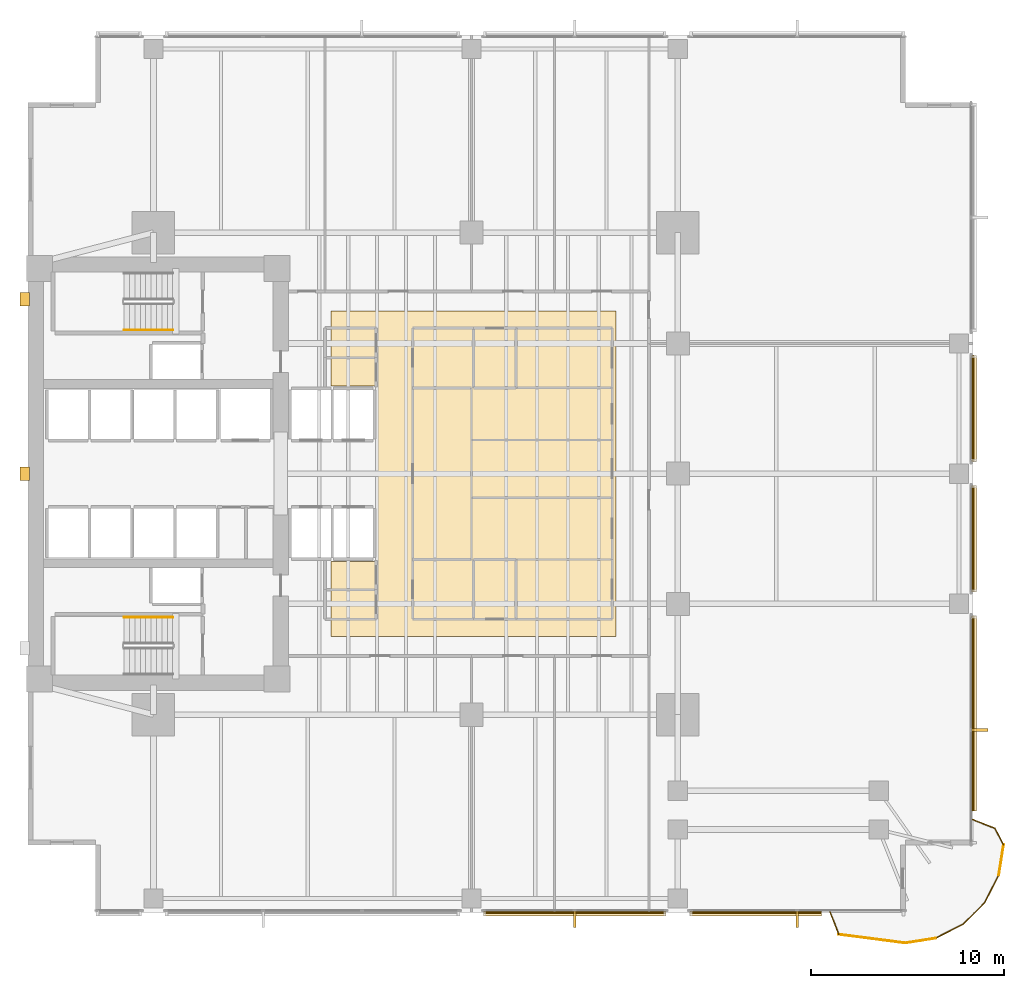
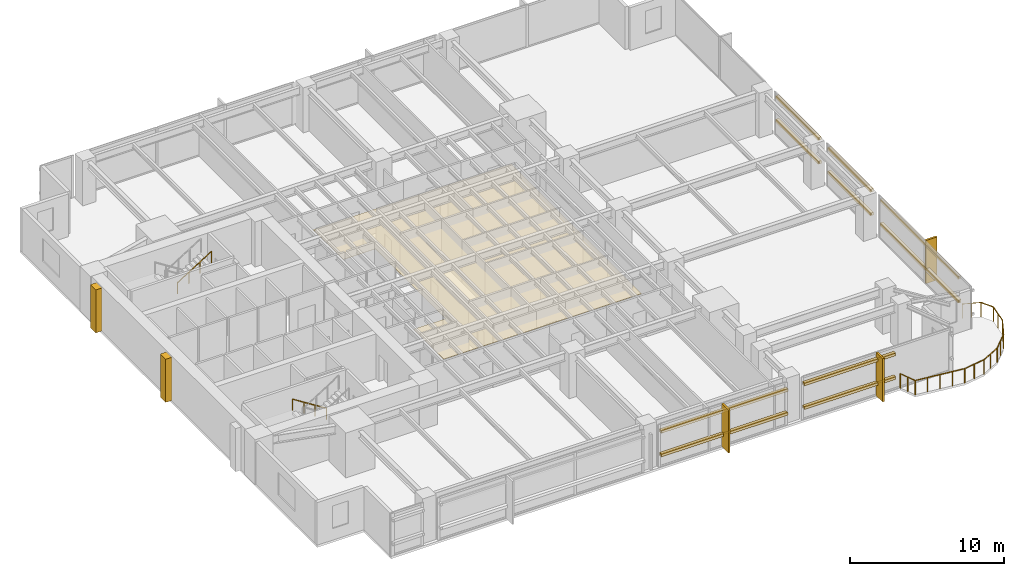
# One storey, part 13 of 15: 16 coverings, 11 railings, 10 shading devices.
"""IFC4 building model written with IfcOpenShell, lengths in metres."""

from ifc_helpers import new_model, si_unit, direction, frame, origin, origin_2d, place, context, subcontext, project, spatial, polyline, rectangle, circle, outline, extrude, material, layer, layer_set, material_profile, profile_set, type_object, element, save


model = new_model("IFC4")

# Units and contexts
model_context = context("Model", 3, precision=1e-05, world=origin(), true_north=direction((0.0, 1.0)))
body_context = subcontext(model_context, "Body", "Model", "MODEL_VIEW")
ifc_project = project(units=[si_unit("LENGTHUNIT", "METRE"), si_unit("AREAUNIT", "SQUARE_METRE"), si_unit("VOLUMEUNIT", "CUBIC_METRE"), si_unit("PLANEANGLEUNIT", "RADIAN"), si_unit("MASSUNIT", "GRAM", prefix="KILO")], contexts=[model_context])

# Site, building, storey
site_placement = place(None, origin())
site = spatial("IfcSite", under=ifc_project, at=site_placement, CompositionType="ELEMENT")
building_placement = place(site_placement, origin())
building = spatial("IfcBuilding", under=site, at=building_placement, Name="Kinhvarn Gate Tower", CompositionType="ELEMENT")
storey_placement = place(building_placement, frame((0.0, 0.0, 71.75)))
storey = spatial("IfcBuildingStorey", under=building, at=storey_placement, Name="L18", CompositionType="ELEMENT", Elevation=71.75)

# Coverings
ifc_material_1 = material(Name="Fired architectural terracotta", Category="masonry")
ifc_layer_1 = layer(ifc_material_1, 0.239990234375)
ifc_layer_set_1 = layer_set([ifc_layer_1], Name="Fired architectural terracotta")
covering_type_1 = type_object("IfcCoveringType", Name="COV-BAG-220", PredefinedType="CLADDING", material=ifc_layer_set_1)
for number, where, name in (
    (1, (0.0, 0.0, 0.93994140625), "Terracotta Horizontal Sunscreen Band TBG-220 (L18)"),
    (2, (0.0, 0.0, 2.81005859375), "Terracotta Horizontal Sunscreen Band TBG-220 (L18)"),
):
    element("IfcCovering", number, at=place(storey_placement, frame(where)), inside=storey, type_object=covering_type_1, Name=name, PredefinedType="CLADDING", context=body_context, shape_type="SweptSolid", body=[
        extrude(outline(polyline([(28.1201171875, 2.56005859375), (37.580078125, 2.56005859375), (37.580078125, 2.320068359375), (28.1201171875, 2.320068359375), (28.1201171875, 2.56005859375)])), origin(), (0.0, 0.0, 1.0), 0.219970703125),
    ])
for number, where, name in (
    (3, (0.0, 0.0, 0.93994140625), "Terracotta Horizontal Sunscreen Band TBG-220 (L18)"),
    (4, (0.0, 0.0, 2.81005859375), "Terracotta Horizontal Sunscreen Band TBG-220 (L18)"),
):
    element("IfcCovering", number, at=place(storey_placement, frame(where)), inside=storey, type_object=covering_type_1, Name=name, PredefinedType="CLADDING", context=body_context, shape_type="SweptSolid", body=[
        extrude(outline(polyline([(38.820068359375, 2.56005859375), (45.64892578125, 2.56005859375), (45.64892578125, 2.320068359375), (38.820068359375, 2.320068359375), (38.820068359375, 2.56005859375)])), origin(), (0.0, 0.0, 1.0), 0.219970703125),
    ])
for number, where, name in (
    (5, (0.0, 0.0, 0.93994140625), "Terracotta Horizontal Sunscreen Band TBG-220 (L18)"),
    (6, (0.0, 0.0, 2.81005859375), "Terracotta Horizontal Sunscreen Band TBG-220 (L18)"),
):
    element("IfcCovering", number, at=place(storey_placement, frame(where)), inside=storey, type_object=covering_type_1, Name=name, PredefinedType="CLADDING", context=body_context, shape_type="SweptSolid", body=[
        extrude(outline(polyline([(53.43994140625, 7.756103515625), (53.43994140625, 17.8798828125), (53.679931640625, 17.8798828125), (53.679931640625, 7.756103515625), (53.43994140625, 7.756103515625)])), origin(), (0.0, 0.0, 1.0), 0.219970703125),
    ])
for number, where, name in (
    (7, (0.0, 0.0, 0.93994140625), "Terracotta Horizontal Sunscreen Band TBG-220 (L18)"),
    (8, (0.0, 0.0, 2.81005859375), "Terracotta Horizontal Sunscreen Band TBG-220 (L18)"),
):
    element("IfcCovering", number, at=place(storey_placement, frame(where)), inside=storey, type_object=covering_type_1, Name=name, PredefinedType="CLADDING", context=body_context, shape_type="SweptSolid", body=[
        extrude(outline(polyline([(53.43994140625, 19.1201171875), (53.43994140625, 24.6298828125), (53.679931640625, 24.6298828125), (53.679931640625, 19.1201171875), (53.43994140625, 19.1201171875)])), origin(), (0.0, 0.0, 1.0), 0.219970703125),
    ])
for number, where, name in (
    (9, (0.0, 0.0, 0.93994140625), "Terracotta Horizontal Sunscreen Band TBG-220 (L18)"),
    (10, (0.0, 0.0, 2.81005859375), "Terracotta Horizontal Sunscreen Band TBG-220 (L18)"),
):
    element("IfcCovering", number, at=place(storey_placement, frame(where)), inside=storey, type_object=covering_type_1, Name=name, PredefinedType="CLADDING", context=body_context, shape_type="SweptSolid", body=[
        extrude(outline(polyline([(53.43994140625, 25.8701171875), (53.43994140625, 31.3798828125), (53.679931640625, 31.3798828125), (53.679931640625, 25.8701171875), (53.43994140625, 25.8701171875)])), origin(), (0.0, 0.0, 1.0), 0.219970703125),
    ])
ifc_material_2 = material(Name="Mineral-fibre acoustic ceiling tile")
ifc_layer_2 = layer(ifc_material_2, 0.02001953125)
ifc_layer_set_2 = layer_set([ifc_layer_2], Name="Mineral-fibre acoustic ceiling tile")
covering_type_2 = type_object("IfcCoveringType", Name="COV-CEIL-20", PredefinedType="CEILING", material=ifc_layer_set_2)
covering_1_placement = place(storey_placement, frame((0.0, 0.0, 2.64990234375)))
element("IfcCovering", 11, at=covering_1_placement, inside=storey, type_object=covering_type_2, Name="Suspended Acoustic Ceiling Tile (L18-1)", PredefinedType="CEILING", context=body_context, shape_type="SweptSolid", body=[
    extrude(outline(polyline([(35.0, 33.699951171875), (35.0, 16.800048828125), (20.199951171875, 16.800048828125), (20.199951171875, 20.699951171875), (22.60009765625, 20.699951171875), (22.60009765625, 29.800048828125), (20.199951171875, 29.800048828125), (20.199951171875, 33.699951171875), (35.0, 33.699951171875)])), origin(), (0.0, 0.0, 1.0), 0.02001953125),
])
ifc_layer_3 = layer(ifc_material_1, 0.139892578125)
ifc_layer_set_3 = layer_set([ifc_layer_3], Name="Fired architectural terracotta")
covering_type_3 = type_object("IfcCoveringType", Name="COV-FIN-850", PredefinedType="CLADDING", material=ifc_layer_set_3)
covering_2_placement = place(storey_placement, frame((0.0, 0.0, -0.02001953125)))
element("IfcCovering", 12, at=covering_2_placement, inside=storey, type_object=covering_type_3, Name="Vertical Terracotta Expressive Fin TFN-850 (L18)", PredefinedType="CLADDING", context=body_context, shape_type="SweptSolid", body=[
    extrude(outline(polyline([(32.780029296875, 2.570068359375), (32.919921875, 2.570068359375), (32.919921875, 1.719970703125), (32.780029296875, 1.719970703125), (32.780029296875, 2.570068359375)])), origin(), (0.0, 0.0, 1.0), 3.409912109375),
])
covering_3_placement = place(storey_placement, frame((0.0, 0.0, -0.02001953125)))
element("IfcCovering", 13, at=covering_3_placement, inside=storey, type_object=covering_type_3, Name="Vertical Terracotta Expressive Fin TFN-850 (L18)", PredefinedType="CLADDING", context=body_context, shape_type="SweptSolid", body=[
    extrude(outline(polyline([(44.320068359375, 2.570068359375), (44.4599609375, 2.570068359375), (44.4599609375, 1.719970703125), (44.320068359375, 1.719970703125), (44.320068359375, 2.570068359375)])), origin(), (0.0, 0.0, 1.0), 3.409912109375),
])
covering_4_placement = place(storey_placement, frame((0.0, 0.0, -0.02001953125)))
element("IfcCovering", 14, at=covering_4_placement, inside=storey, type_object=covering_type_3, Name="Vertical Terracotta Expressive Fin TFN-850 (L18)", PredefinedType="CLADDING", context=body_context, shape_type="SweptSolid", body=[
    extrude(outline(polyline([(53.429931640625, 11.889892578125), (53.429931640625, 12.030029296875), (54.280029296875, 12.030029296875), (54.280029296875, 11.889892578125), (53.429931640625, 11.889892578125)])), origin(), (0.0, 0.0, 1.0), 3.409912109375),
])
ifc_material_3 = material(Name="Precast white architectural concrete C40/50", Category="concrete")
ifc_layer_4 = layer(ifc_material_3, 0.47998046875)
ifc_layer_set_4 = layer_set([ifc_layer_4], Name="Precast white architectural concrete C40/50")
covering_type_4 = type_object("IfcCoveringType", Name="COV-RIB-450", PredefinedType="CLADDING", material=ifc_layer_set_4)
covering_5_placement = place(storey_placement, frame((0.0, 0.0, -0.02001953125)))
element("IfcCovering", 15, at=covering_5_placement, inside=storey, type_object=covering_type_4, Name="West Core Sculptural Concrete Relief Rib CRB-450 (L18)", PredefinedType="CLADDING", context=body_context, shape_type="SweptSolid", body=[
    extrude(outline(polyline([(4.080078125, 24.89990234375), (4.56005859375, 24.89990234375), (4.56005859375, 25.60009765625), (4.080078125, 25.60009765625), (4.080078125, 24.89990234375)])), origin(), (0.0, 0.0, 1.0), 3.409912109375),
])
covering_6_placement = place(storey_placement, frame((0.0, 0.0, -0.02001953125)))
element("IfcCovering", 16, at=covering_6_placement, inside=storey, type_object=covering_type_4, Name="West Core Sculptural Concrete Relief Rib CRB-450 (L18)", PredefinedType="CLADDING", context=body_context, shape_type="SweptSolid", body=[
    extrude(outline(polyline([(4.080078125, 33.949951171875), (4.56005859375, 33.949951171875), (4.56005859375, 34.64990234375), (4.080078125, 34.64990234375), (4.080078125, 33.949951171875)])), origin(), (0.0, 0.0, 1.0), 3.409912109375),
])

# Railings
ifc_material_4 = material(Name="Clear low-e double glazing", Category="glass")
railing_type_1 = type_object("IfcRailingType", Name="RL-BAL-1150", PredefinedType="BALUSTRADE", material=ifc_material_4)
railing_1_placement = place(storey_placement, frame((46.09912109375, 2.5, 0.0)))
element("IfcRailing", 17, at=railing_1_placement, inside=storey, type_object=railing_type_1, Name="S-Carve Balcony Guardrail Seg 1 (L18)", PredefinedType="BALUSTRADE", context=body_context, shape_type="SweptSolid", body=[
    extrude(circle(Radius=0.02392578125, at=origin_2d()), frame((0.0, 0.0, 1.1259765625), z_axis=(0.365400859335, -0.93085026293, 0.0), x_axis=(0.93085026293, 0.365400859335, 0.0)), (0.0, 0.0, 1.0), 1.2314453125),
    extrude(circle(Radius=0.02099609375, at=origin_2d()), origin(), (0.0, 0.0, 1.0), 1.101806640625),
    extrude(circle(Radius=0.02099609375, at=origin_2d()), frame((0.22509765625, -0.5732421875, 0.0)), (0.0, 0.0, 1.0), 1.101806640625),
    extrude(circle(Radius=0.02099609375, at=origin_2d()), frame((0.449951171875, -1.146240234375, 0.0)), (0.0, 0.0, 1.0), 1.101806640625),
])
railing_2_placement = place(storey_placement, frame((46.549072265625, 1.353759765625, 0.0)))
element("IfcRailing", 18, at=railing_2_placement, inside=storey, type_object=railing_type_1, Name="S-Carve Balcony Guardrail Seg 2 (L18)", PredefinedType="BALUSTRADE", context=body_context, shape_type="SweptSolid", body=[
    extrude(circle(Radius=0.02392578125, at=origin_2d()), frame((0.0, 0.0, 1.1259765625), z_axis=(0.991758896565, -0.128118269906, 0.0), x_axis=(0.128118269906, 0.991758896565, 0.0)), (0.0, 0.0, 1.0), 3.4794921875),
    extrude(circle(Radius=0.02099609375, at=origin_2d()), origin(), (0.0, 0.0, 1.0), 1.101806640625),
    extrude(circle(Radius=0.02099609375, at=origin_2d()), frame((0.86279296875, -0.111328125, 0.0)), (0.0, 0.0, 1.0), 1.101806640625),
    extrude(circle(Radius=0.02099609375, at=origin_2d()), frame((1.7255859375, -0.222900390625, 0.0)), (0.0, 0.0, 1.0), 1.101806640625),
    extrude(circle(Radius=0.02099609375, at=origin_2d()), frame((2.588134765625, -0.33447265625, 0.0)), (0.0, 0.0, 1.0), 1.101806640625),
    extrude(circle(Radius=0.02099609375, at=origin_2d()), frame((3.450927734375, -0.44580078125, 0.0)), (0.0, 0.0, 1.0), 1.101806640625),
])
railing_3_placement = place(storey_placement, frame((50.0, 0.907958984375, 0.0)))
element("IfcRailing", 19, at=railing_3_placement, inside=storey, type_object=railing_type_1, Name="S-Carve Balcony Guardrail Seg 3 (L18)", PredefinedType="BALUSTRADE", context=body_context, shape_type="SweptSolid", body=[
    extrude(circle(Radius=0.02392578125, at=origin_2d()), frame((0.0, 0.0, 1.1259765625), z_axis=(0.987683313645, 0.156466200657, 0.0), x_axis=(-0.156466200657, 0.987683313645, 0.0)), (0.0, 0.0, 1.0), 1.593017578125),
    extrude(circle(Radius=0.02099609375, at=origin_2d()), origin(), (0.0, 0.0, 1.0), 1.101806640625),
    extrude(circle(Radius=0.02099609375, at=origin_2d()), frame((0.78662109375, 0.12451171875, 0.0)), (0.0, 0.0, 1.0), 1.101806640625),
    extrude(circle(Radius=0.02099609375, at=origin_2d()), frame((1.573486328125, 0.249267578125, 0.0)), (0.0, 0.0, 1.0), 1.101806640625),
])
railing_4_placement = place(storey_placement, frame((51.573486328125, 1.1572265625, 0.0)))
element("IfcRailing", 20, at=railing_4_placement, inside=storey, type_object=railing_type_1, Name="S-Carve Balcony Guardrail Seg 4 (L18)", PredefinedType="BALUSTRADE", context=body_context, shape_type="SweptSolid", body=[
    extrude(circle(Radius=0.02392578125, at=origin_2d()), frame((0.0, 0.0, 1.1259765625), z_axis=(0.890968147528, 0.454065810307, 0.0), x_axis=(-0.454065810307, 0.890968147528, 0.0)), (0.0, 0.0, 1.0), 1.593017578125),
    extrude(circle(Radius=0.02099609375, at=origin_2d()), origin(), (0.0, 0.0, 1.0), 1.101806640625),
    extrude(circle(Radius=0.02099609375, at=origin_2d()), frame((0.709716796875, 0.36181640625, 0.0)), (0.0, 0.0, 1.0), 1.101806640625),
    extrude(circle(Radius=0.02099609375, at=origin_2d()), frame((1.41943359375, 0.723388671875, 0.0)), (0.0, 0.0, 1.0), 1.101806640625),
])
railing_5_placement = place(storey_placement, frame((52.992919921875, 1.880615234375, 0.0)))
element("IfcRailing", 21, at=railing_5_placement, inside=storey, type_object=railing_type_1, Name="S-Carve Balcony Guardrail Seg 5 (L18)", PredefinedType="BALUSTRADE", context=body_context, shape_type="SweptSolid", body=[
    extrude(circle(Radius=0.02392578125, at=origin_2d()), frame((0.0, 0.0, 1.1259765625), z_axis=(0.707106781187, 0.707106781187, 0.0), x_axis=(-0.707106781187, 0.707106781187, 0.0)), (0.0, 0.0, 1.0), 1.593017578125),
    extrude(circle(Radius=0.02099609375, at=origin_2d()), origin(), (0.0, 0.0, 1.0), 1.101806640625),
    extrude(circle(Radius=0.02099609375, at=origin_2d()), frame((0.563232421875, 0.563232421875, 0.0)), (0.0, 0.0, 1.0), 1.101806640625),
    extrude(circle(Radius=0.02099609375, at=origin_2d()), frame((1.12646484375, 1.12646484375, 0.0)), (0.0, 0.0, 1.0), 1.101806640625),
])
railing_6_placement = place(storey_placement, frame((54.119384765625, 3.007080078125, 0.0)))
element("IfcRailing", 22, at=railing_6_placement, inside=storey, type_object=railing_type_1, Name="S-Carve Balcony Guardrail Seg 6 (L18)", PredefinedType="BALUSTRADE", context=body_context, shape_type="SweptSolid", body=[
    extrude(circle(Radius=0.02392578125, at=origin_2d()), frame((0.0, 0.0, 1.1259765625), z_axis=(0.454065810307, 0.890968147528, 0.0), x_axis=(-0.890968147528, 0.454065810307, 0.0)), (0.0, 0.0, 1.0), 1.593017578125),
    extrude(circle(Radius=0.02099609375, at=origin_2d()), origin(), (0.0, 0.0, 1.0), 1.101806640625),
    extrude(circle(Radius=0.02099609375, at=origin_2d()), frame((0.36181640625, 0.709716796875, 0.0)), (0.0, 0.0, 1.0), 1.101806640625),
    extrude(circle(Radius=0.02099609375, at=origin_2d()), frame((0.723388671875, 1.41943359375, 0.0)), (0.0, 0.0, 1.0), 1.101806640625),
])
railing_7_placement = place(storey_placement, frame((54.8427734375, 4.426513671875, 0.0)))
element("IfcRailing", 23, at=railing_7_placement, inside=storey, type_object=railing_type_1, Name="S-Carve Balcony Guardrail Seg 7 (L18)", PredefinedType="BALUSTRADE", context=body_context, shape_type="SweptSolid", body=[
    extrude(circle(Radius=0.02392578125, at=origin_2d()), frame((0.0, 0.0, 1.1259765625), z_axis=(0.156466200657, 0.987683313645, 0.0), x_axis=(-0.987683313645, 0.156466200657, 0.0)), (0.0, 0.0, 1.0), 1.593017578125),
    extrude(circle(Radius=0.02099609375, at=origin_2d()), origin(), (0.0, 0.0, 1.0), 1.101806640625),
    extrude(circle(Radius=0.02099609375, at=origin_2d()), frame((0.12451171875, 0.78662109375, 0.0)), (0.0, 0.0, 1.0), 1.101806640625),
    extrude(circle(Radius=0.02099609375, at=origin_2d()), frame((0.249267578125, 1.573486328125, 0.0)), (0.0, 0.0, 1.0), 1.101806640625),
])
railing_8_placement = place(storey_placement, frame((55.092041015625, 6.0, 0.0)))
element("IfcRailing", 24, at=railing_8_placement, inside=storey, type_object=railing_type_1, Name="S-Carve Balcony Guardrail Seg 8 (L18)", PredefinedType="BALUSTRADE", context=body_context, shape_type="SweptSolid", body=[
    extrude(circle(Radius=0.02392578125, at=origin_2d()), frame((0.0, 0.0, 1.1259765625), z_axis=(-0.461926127498, 0.886918402523, 0.0), x_axis=(-0.886918402523, -0.461926127498, 0.0)), (0.0, 0.0, 1.0), 0.965087890625),
    extrude(circle(Radius=0.02099609375, at=origin_2d()), origin(), (0.0, 0.0, 1.0), 1.101806640625),
    extrude(circle(Radius=0.02099609375, at=origin_2d()), frame((-0.44580078125, 0.85595703125, 0.0)), (0.0, 0.0, 1.0), 1.101806640625),
])
railing_9_placement = place(storey_placement, frame((54.646240234375, 6.85595703125, 0.0)))
element("IfcRailing", 25, at=railing_9_placement, inside=storey, type_object=railing_type_1, Name="S-Carve Balcony Guardrail Seg 9 (L18)", PredefinedType="BALUSTRADE", context=body_context, shape_type="SweptSolid", body=[
    extrude(circle(Radius=0.02392578125, at=origin_2d()), frame((0.0, 0.0, 1.1259765625), z_axis=(-0.93085026293, 0.365400859335, 0.0), x_axis=(-0.365400859335, -0.93085026293, 0.0)), (0.0, 0.0, 1.0), 1.2314453125),
    extrude(circle(Radius=0.02099609375, at=origin_2d()), origin(), (0.0, 0.0, 1.0), 1.101806640625),
    extrude(circle(Radius=0.02099609375, at=origin_2d()), frame((-0.5732421875, 0.22509765625, 0.0)), (0.0, 0.0, 1.0), 1.101806640625),
    extrude(circle(Radius=0.02099609375, at=origin_2d()), frame((-1.146240234375, 0.449951171875, 0.0)), (0.0, 0.0, 1.0), 1.101806640625),
])
ifc_material_5 = material(Name="Steel S355", Category="steel")
railing_type_2 = type_object("IfcRailingType", Name="RL-ST-HND", PredefinedType="HANDRAIL", material=ifc_material_5)
railing_10_placement = place(storey_placement, frame((12.0, 17.800048828125, 0.177490234375)))
element("IfcRailing", 26, at=railing_10_placement, inside=storey, type_object=railing_type_2, Name="L18 ST1 stair handrail 1", PredefinedType="HANDRAIL", context=body_context, shape_type="SweptSolid", body=[
    extrude(circle(Radius=0.02392578125, at=origin_2d()), frame((0.0, 0.0, 0.8759765625), z_axis=(-0.84460694969, 0.0, 0.535386869969), x_axis=(0.0, -1.0, 0.0)), (0.0, 0.0, 1.0), 2.983642578125),
    extrude(circle(Radius=0.02099609375, at=origin_2d()), origin(), (0.0, 0.0, 1.0), 0.851806640625),
    extrude(circle(Radius=0.02099609375, at=origin_2d()), frame((-0.840087890625, 0.0, 0.532470703125)), (0.0, 0.0, 1.0), 0.851806640625),
    extrude(circle(Radius=0.02099609375, at=origin_2d()), frame((-1.679931640625, 0.0, 1.06494140625)), (0.0, 0.0, 1.0), 0.851806640625),
    extrude(circle(Radius=0.02099609375, at=origin_2d()), frame((-2.52001953125, 0.0, 1.597412109375)), (0.0, 0.0, 1.0), 0.851806640625),
])
railing_11_placement = place(storey_placement, frame((9.47998046875, 32.699951171875, 1.952392578125)))
element("IfcRailing", 27, at=railing_11_placement, inside=storey, type_object=railing_type_2, Name="L18 ST2 stair handrail 2", PredefinedType="HANDRAIL", context=body_context, shape_type="SweptSolid", body=[
    extrude(circle(Radius=0.02392578125, at=origin_2d()), frame((0.0, 0.0, 0.8759765625), z_axis=(0.84456994832, 0.0, 0.535445237532), x_axis=(0.0, 1.0, 0.0)), (0.0, 0.0, 1.0), 2.98388671875),
    extrude(circle(Radius=0.02099609375, at=origin_2d()), origin(), (0.0, 0.0, 1.0), 0.851806640625),
    extrude(circle(Radius=0.02099609375, at=origin_2d()), frame((0.840087890625, 0.0, 0.532470703125)), (0.0, 0.0, 1.0), 0.851806640625),
    extrude(circle(Radius=0.02099609375, at=origin_2d()), frame((1.679931640625, 0.0, 1.065185546875)), (0.0, 0.0, 1.0), 0.851806640625),
    extrude(circle(Radius=0.02099609375, at=origin_2d()), frame((2.52001953125, 0.0, 1.59765625)), (0.0, 0.0, 1.0), 0.851806640625),
])

# Shading devices
ifc_material_profile = material_profile(ifc_material_1, rectangle(XDim=0.06005859375, YDim=0.139892578125, at=origin_2d()), Name="TC 60x140")
ifc_profile_set = profile_set([ifc_material_profile], Name="Fired architectural terracotta")
shading_device_type = type_object("IfcShadingDeviceType", Name="SHD-BAG-180", PredefinedType="USERDEFINED", material=ifc_profile_set)
for number, where, z_axis, x_axis, name in (
    (28, (28.1201171875, 2.485107421875, 1.050048828125), (1.0, 0.0, 0.0), (0.0, 1.0, 0.0), "Fired Terracotta Baguette Screen Rod 60x140 mm (L18)"),
    (29, (28.1201171875, 2.485107421875, 2.919921875), (1.0, 0.0, 0.0), (0.0, 1.0, 0.0), "Fired Terracotta Baguette Screen Rod 60x140 mm (L18)"),
):
    element("IfcShadingDevice", number, at=place(storey_placement, frame(where, z_axis=z_axis, x_axis=x_axis)), inside=storey, type_object=shading_device_type, Name=name, ObjectType="BAGUETTE", PredefinedType="USERDEFINED", context=body_context, shape_type="SweptSolid", body=[
        extrude(rectangle(XDim=0.06005859375, YDim=0.139892578125, at=origin_2d()), origin(), (0.0, 0.0, 1.0), 9.4599609375),
    ])
for number, where, z_axis, x_axis, name in (
    (30, (38.820068359375, 2.485107421875, 1.050048828125), (1.0, 0.0, 0.0), (0.0, 1.0, 0.0), "Fired Terracotta Baguette Screen Rod 60x140 mm (L18)"),
    (31, (38.820068359375, 2.485107421875, 2.919921875), (1.0, 0.0, 0.0), (0.0, 1.0, 0.0), "Fired Terracotta Baguette Screen Rod 60x140 mm (L18)"),
):
    element("IfcShadingDevice", number, at=place(storey_placement, frame(where, z_axis=z_axis, x_axis=x_axis)), inside=storey, type_object=shading_device_type, Name=name, ObjectType="BAGUETTE", PredefinedType="USERDEFINED", context=body_context, shape_type="SweptSolid", body=[
        extrude(rectangle(XDim=0.06005859375, YDim=0.139892578125, at=origin_2d()), origin(), (0.0, 0.0, 1.0), 6.828857421875),
    ])
for number, where, z_axis, x_axis, name in (
    (32, (53.514892578125, 7.756103515625, 1.050048828125), (0.0, 1.0, 0.0), (-1.0, 0.0, 0.0), "Fired Terracotta Baguette Screen Rod 60x140 mm (L18)"),
    (33, (53.514892578125, 7.756103515625, 2.919921875), (0.0, 1.0, 0.0), (-1.0, 0.0, 0.0), "Fired Terracotta Baguette Screen Rod 60x140 mm (L18)"),
):
    element("IfcShadingDevice", number, at=place(storey_placement, frame(where, z_axis=z_axis, x_axis=x_axis)), inside=storey, type_object=shading_device_type, Name=name, ObjectType="BAGUETTE", PredefinedType="USERDEFINED", context=body_context, shape_type="SweptSolid", body=[
        extrude(rectangle(XDim=0.06005859375, YDim=0.139892578125, at=origin_2d()), origin(), (0.0, 0.0, 1.0), 10.123779296875),
    ])
for number, where, z_axis, x_axis, name in (
    (34, (53.514892578125, 19.1201171875, 1.050048828125), (0.0, 1.0, 0.0), (-1.0, 0.0, 0.0), "Fired Terracotta Baguette Screen Rod 60x140 mm (L18)"),
    (35, (53.514892578125, 19.1201171875, 2.919921875), (0.0, 1.0, 0.0), (-1.0, 0.0, 0.0), "Fired Terracotta Baguette Screen Rod 60x140 mm (L18)"),
    (36, (53.514892578125, 25.8701171875, 1.050048828125), (0.0, 1.0, 0.0), (-1.0, 0.0, 0.0), "Fired Terracotta Baguette Screen Rod 60x140 mm (L18)"),
    (37, (53.514892578125, 25.8701171875, 2.919921875), (0.0, 1.0, 0.0), (-1.0, 0.0, 0.0), "Fired Terracotta Baguette Screen Rod 60x140 mm (L18)"),
):
    element("IfcShadingDevice", number, at=place(storey_placement, frame(where, z_axis=z_axis, x_axis=x_axis)), inside=storey, type_object=shading_device_type, Name=name, ObjectType="BAGUETTE", PredefinedType="USERDEFINED", context=body_context, shape_type="SweptSolid", body=[
        extrude(rectangle(XDim=0.06005859375, YDim=0.139892578125, at=origin_2d()), origin(), (0.0, 0.0, 1.0), 5.509765625),
    ])

save(model, "model.ifc")
